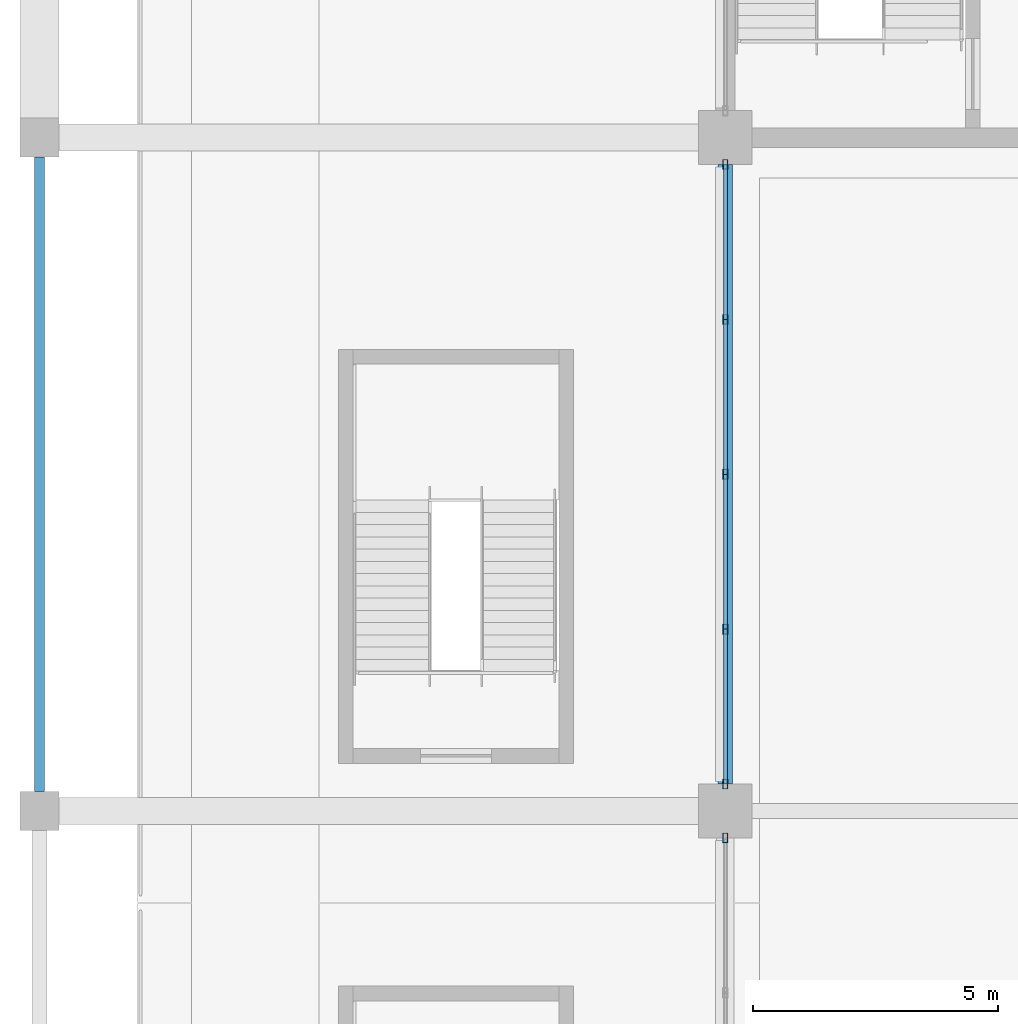
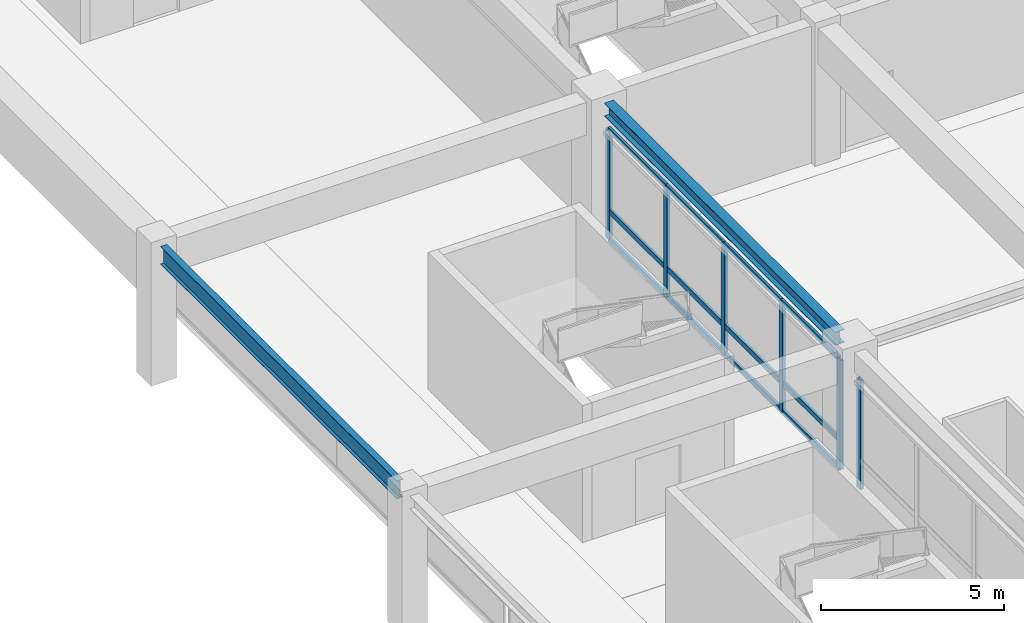
# One storey, part 29 of 91: 18 members, 2 beams, 2 elements without a shape of their own.
"""IFC4 building model written with IfcOpenShell, lengths in metres."""

from ifc_helpers import new_model, si_unit, direction, frame, origin, origin_2d, place, context, subcontext, project, spatial, hollow_rectangle, i_section, extrude, material, material_profile, profile_set, type_object, element, aggregate, save


model = new_model("IFC4")

# Units and contexts
model_context = context("Model", 3, precision=1e-05, world=origin(), true_north=direction((0.0, 1.0)))
body_context = subcontext(model_context, "Body", "Model", "MODEL_VIEW")
ifc_project = project(units=[si_unit("LENGTHUNIT", "METRE"), si_unit("AREAUNIT", "SQUARE_METRE"), si_unit("VOLUMEUNIT", "CUBIC_METRE"), si_unit("PLANEANGLEUNIT", "RADIAN"), si_unit("MASSUNIT", "GRAM", prefix="KILO")], contexts=[model_context])

# Site, building, storey
site_placement = place(None, origin())
site = spatial("IfcSite", under=ifc_project, at=site_placement, CompositionType="ELEMENT")
building_placement = place(site_placement, origin())
building = spatial("IfcBuilding", under=site, at=building_placement, Name="Linyun Crest Stadium", CompositionType="ELEMENT")
storey_placement = place(building_placement, frame((0.0, 0.0, 11.39990234375)))
storey = spatial("IfcBuildingStorey", under=building, at=storey_placement, Name="L03", CompositionType="ELEMENT", Elevation=11.39990234375)

# Beams
ifc_material_1 = material(Name="Steel Q355C", Category="steel")
ifc_material_profile_1 = material_profile(ifc_material_1, i_section(OverallWidth=0.300048828125, OverallDepth=0.43994140625, WebThickness=0.010986328125, FlangeThickness=0.01806640625, at=origin_2d()), Name="HM 440x300")
ifc_profile_set_1 = profile_set([ifc_material_profile_1], Name="Steel Q355C")
beam_type_1 = type_object("IfcBeamType", Name="B07", PredefinedType="BEAM", material=ifc_profile_set_1)
beam_1_placement = place(storey_placement, frame((-84.0, -11.074951171875, 4.360107421875), z_axis=(0.0, 1.0, 0.0), x_axis=(-1.0, 0.0, 0.0)))
element("IfcBeam", 1, at=beam_1_placement, inside=storey, type_object=beam_type_1, Name="Frame beam B07 L03 272", PredefinedType="BEAM", context=body_context, shape_type="SweptSolid", body=[
    extrude(i_section(OverallWidth=0.300048828125, OverallDepth=0.43994140625, WebThickness=0.010986328125, FlangeThickness=0.01806640625, at=origin_2d()), origin(), (0.0, 0.0, 1.0), 12.64990234375),
])
ifc_material_2 = material(Name="Steel Q355C", Category="steel")
ifc_material_profile_2 = material_profile(ifc_material_2, i_section(OverallWidth=0.199951171875, OverallDepth=0.60009765625, WebThickness=0.010986328125, FlangeThickness=0.01708984375, at=origin_2d()), Name="HN 600x200")
ifc_profile_set_2 = profile_set([ifc_material_profile_2], Name="Steel Q355C")
beam_type_2 = type_object("IfcBeamType", Name="B11", PredefinedType="BEAM", material=ifc_profile_set_2)
beam_2_placement = place(storey_placement, frame((-98.0, -11.22509765625, 4.280029296875), z_axis=(0.0, 1.0, 0.0), x_axis=(-1.0, 0.0, 0.0)))
element("IfcBeam", 2, at=beam_2_placement, inside=storey, type_object=beam_type_2, Name="Frame beam B11 L03 266", PredefinedType="BEAM", context=body_context, shape_type="SweptSolid", body=[
    extrude(i_section(OverallWidth=0.199951171875, OverallDepth=0.60009765625, WebThickness=0.010986328125, FlangeThickness=0.01708984375, at=origin_2d()), origin(), (0.0, 0.0, 1.0), 12.9501953125),
])

# Curtain wall, member
ifc_material_3 = material(Name="Verdigris steel and low-E curtain wall assembly", Category="steel")
curtain_wall_type = type_object("IfcCurtainWallType", Name="MCW02", PredefinedType="NOTDEFINED", material=ifc_material_3)
curtain_wall_1_placement = place(storey_placement, origin())
curtain_wall_1 = element("IfcCurtainWall", 3, at=curtain_wall_1_placement, inside=storey, type_object=curtain_wall_type, Name="CWR-083", PredefinedType="NOTDEFINED")
ifc_material_4 = material(Name="Verdigris painted steel Q355C mullion", Category="steel")
ifc_material_profile_3 = material_profile(ifc_material_4, hollow_rectangle(XDim=0.10009765625, YDim=0.199951171875, WallThickness=0.008056640625, at=origin_2d()), Name="RHS 200x100x8")
ifc_profile_set_3 = profile_set([ifc_material_profile_3], Name="Verdigris painted steel Q355C mullion")
member_type_1 = type_object("IfcMemberType", Name="ML03", PredefinedType="MULLION", material=ifc_profile_set_3)
member_1_placement = place(storey_placement, frame((-84.0, -12.175048828125, 0.0), z_axis=(0.0, 0.0, 1.0), x_axis=(-1.0, 0.0, 0.0)))
member_1 = element("IfcMember", 4, at=member_1_placement, type_object=member_type_1, Name="CWR-083 mullion 5", PredefinedType="MULLION", context=body_context, shape_type="SweptSolid", body=[
    extrude(hollow_rectangle(XDim=0.10009765625, YDim=0.199951171875, WallThickness=0.008056640625, at=origin_2d()), origin(), (0.0, 0.0, 1.0), 3.650146484375),
])
aggregate(curtain_wall_1, [member_1])

# Curtain wall, members
curtain_wall_2_placement = place(storey_placement, origin())
curtain_wall_2 = element("IfcCurtainWall", 5, at=curtain_wall_2_placement, inside=storey, type_object=curtain_wall_type, Name="CWR-092", PredefinedType="NOTDEFINED")
member_2_placement = place(storey_placement, frame((-84.0, -11.074951171875, 0.0), z_axis=(0.0, 0.0, 1.0), x_axis=(-1.0, 0.0, 0.0)))
member_2 = element("IfcMember", 6, at=member_2_placement, type_object=member_type_1, Name="CWR-092 mullion 1", PredefinedType="MULLION", context=body_context, shape_type="SweptSolid", body=[
    extrude(hollow_rectangle(XDim=0.10009765625, YDim=0.199951171875, WallThickness=0.008056640625, at=origin_2d()), origin(), (0.0, 0.0, 1.0), 3.650146484375),
])
member_3_placement = place(storey_placement, frame((-84.0, -7.912109375, 0.0), z_axis=(0.0, 0.0, 1.0), x_axis=(-1.0, 0.0, 0.0)))
member_3 = element("IfcMember", 7, at=member_3_placement, type_object=member_type_1, Name="CWR-092 mullion 2", PredefinedType="MULLION", context=body_context, shape_type="SweptSolid", body=[
    extrude(hollow_rectangle(XDim=0.10009765625, YDim=0.199951171875, WallThickness=0.008056640625, at=origin_2d()), origin(), (0.0, 0.0, 1.0), 3.650146484375),
])
member_4_placement = place(storey_placement, frame((-84.0, -4.75, 0.0), z_axis=(0.0, 0.0, 1.0), x_axis=(-1.0, 0.0, 0.0)))
member_4 = element("IfcMember", 8, at=member_4_placement, type_object=member_type_1, Name="CWR-092 mullion 3", PredefinedType="MULLION", context=body_context, shape_type="SweptSolid", body=[
    extrude(hollow_rectangle(XDim=0.10009765625, YDim=0.199951171875, WallThickness=0.008056640625, at=origin_2d()), origin(), (0.0, 0.0, 1.0), 3.650146484375),
])
member_5_placement = place(storey_placement, frame((-84.0, -1.587890625, 0.0), z_axis=(0.0, 0.0, 1.0), x_axis=(-1.0, 0.0, 0.0)))
member_5 = element("IfcMember", 9, at=member_5_placement, type_object=member_type_1, Name="CWR-092 mullion 4", PredefinedType="MULLION", context=body_context, shape_type="SweptSolid", body=[
    extrude(hollow_rectangle(XDim=0.10009765625, YDim=0.199951171875, WallThickness=0.008056640625, at=origin_2d()), origin(), (0.0, 0.0, 1.0), 3.650146484375),
])
member_6_placement = place(storey_placement, frame((-84.0, 1.574951171875, 0.0), z_axis=(0.0, 0.0, 1.0), x_axis=(-1.0, 0.0, 0.0)))
member_6 = element("IfcMember", 10, at=member_6_placement, type_object=member_type_1, Name="CWR-092 mullion 5", PredefinedType="MULLION", context=body_context, shape_type="SweptSolid", body=[
    extrude(hollow_rectangle(XDim=0.10009765625, YDim=0.199951171875, WallThickness=0.008056640625, at=origin_2d()), origin(), (0.0, 0.0, 1.0), 3.650146484375),
])
ifc_material_5 = material(Name="Verdigris painted steel Q355B transom", Category="steel")
ifc_material_profile_4 = material_profile(ifc_material_5, hollow_rectangle(XDim=0.080078125, YDim=0.179931640625, WallThickness=0.006103515625, at=origin_2d()), Name="RHS 180x80x6")
ifc_profile_set_4 = profile_set([ifc_material_profile_4], Name="Verdigris painted steel Q355B transom")
member_type_2 = type_object("IfcMemberType", Name="TR02", PredefinedType="USERDEFINED", material=ifc_profile_set_4)
member_7_placement = place(storey_placement, frame((-84.0, -11.074951171875, 0.0), z_axis=(0.0, 1.0, 0.0), x_axis=(-1.0, 0.0, 0.0)))
member_7 = element("IfcMember", 11, at=member_7_placement, type_object=member_type_2, Name="CWR-092 transom 1.1", ObjectType="TRANSOM", PredefinedType="USERDEFINED", context=body_context, shape_type="SweptSolid", body=[
    extrude(hollow_rectangle(XDim=0.080078125, YDim=0.179931640625, WallThickness=0.006103515625, at=origin_2d()), origin(), (0.0, 0.0, 1.0), 3.162841796875),
])
member_8_placement = place(storey_placement, frame((-84.0, -11.074951171875, 0.9501953125), z_axis=(0.0, 1.0, 0.0), x_axis=(-1.0, 0.0, 0.0)))
member_8 = element("IfcMember", 12, at=member_8_placement, type_object=member_type_2, Name="CWR-092 transom 1.2", ObjectType="TRANSOM", PredefinedType="USERDEFINED", context=body_context, shape_type="SweptSolid", body=[
    extrude(hollow_rectangle(XDim=0.080078125, YDim=0.179931640625, WallThickness=0.006103515625, at=origin_2d()), origin(), (0.0, 0.0, 1.0), 3.162841796875),
])
member_9_placement = place(storey_placement, frame((-84.0, -11.074951171875, 3.650146484375), z_axis=(0.0, 1.0, 0.0), x_axis=(-1.0, 0.0, 0.0)))
member_9 = element("IfcMember", 13, at=member_9_placement, type_object=member_type_2, Name="CWR-092 transom 1.3", ObjectType="TRANSOM", PredefinedType="USERDEFINED", context=body_context, shape_type="SweptSolid", body=[
    extrude(hollow_rectangle(XDim=0.080078125, YDim=0.179931640625, WallThickness=0.006103515625, at=origin_2d()), origin(), (0.0, 0.0, 1.0), 3.162841796875),
])
member_10_placement = place(storey_placement, frame((-84.0, -7.912109375, 0.0), z_axis=(0.0, 1.0, 0.0), x_axis=(-1.0, 0.0, 0.0)))
member_10 = element("IfcMember", 14, at=member_10_placement, type_object=member_type_2, Name="CWR-092 transom 2.1", ObjectType="TRANSOM", PredefinedType="USERDEFINED", context=body_context, shape_type="SweptSolid", body=[
    extrude(hollow_rectangle(XDim=0.080078125, YDim=0.179931640625, WallThickness=0.006103515625, at=origin_2d()), origin(), (0.0, 0.0, 1.0), 3.162109375),
])
member_11_placement = place(storey_placement, frame((-84.0, -7.912109375, 0.9501953125), z_axis=(0.0, 1.0, 0.0), x_axis=(-1.0, 0.0, 0.0)))
member_11 = element("IfcMember", 15, at=member_11_placement, type_object=member_type_2, Name="CWR-092 transom 2.2", ObjectType="TRANSOM", PredefinedType="USERDEFINED", context=body_context, shape_type="SweptSolid", body=[
    extrude(hollow_rectangle(XDim=0.080078125, YDim=0.179931640625, WallThickness=0.006103515625, at=origin_2d()), origin(), (0.0, 0.0, 1.0), 3.162109375),
])
member_12_placement = place(storey_placement, frame((-84.0, -7.912109375, 3.650146484375), z_axis=(0.0, 1.0, 0.0), x_axis=(-1.0, 0.0, 0.0)))
member_12 = element("IfcMember", 16, at=member_12_placement, type_object=member_type_2, Name="CWR-092 transom 2.3", ObjectType="TRANSOM", PredefinedType="USERDEFINED", context=body_context, shape_type="SweptSolid", body=[
    extrude(hollow_rectangle(XDim=0.080078125, YDim=0.179931640625, WallThickness=0.006103515625, at=origin_2d()), origin(), (0.0, 0.0, 1.0), 3.162109375),
])
member_13_placement = place(storey_placement, frame((-84.0, -4.75, 0.0), z_axis=(0.0, 1.0, 0.0), x_axis=(-1.0, 0.0, 0.0)))
member_13 = element("IfcMember", 17, at=member_13_placement, type_object=member_type_2, Name="CWR-092 transom 3.1", ObjectType="TRANSOM", PredefinedType="USERDEFINED", context=body_context, shape_type="SweptSolid", body=[
    extrude(hollow_rectangle(XDim=0.080078125, YDim=0.179931640625, WallThickness=0.006103515625, at=origin_2d()), origin(), (0.0, 0.0, 1.0), 3.162109375),
])
member_14_placement = place(storey_placement, frame((-84.0, -4.75, 0.9501953125), z_axis=(0.0, 1.0, 0.0), x_axis=(-1.0, 0.0, 0.0)))
member_14 = element("IfcMember", 18, at=member_14_placement, type_object=member_type_2, Name="CWR-092 transom 3.2", ObjectType="TRANSOM", PredefinedType="USERDEFINED", context=body_context, shape_type="SweptSolid", body=[
    extrude(hollow_rectangle(XDim=0.080078125, YDim=0.179931640625, WallThickness=0.006103515625, at=origin_2d()), origin(), (0.0, 0.0, 1.0), 3.162109375),
])
member_15_placement = place(storey_placement, frame((-84.0, -4.75, 3.650146484375), z_axis=(0.0, 1.0, 0.0), x_axis=(-1.0, 0.0, 0.0)))
member_15 = element("IfcMember", 19, at=member_15_placement, type_object=member_type_2, Name="CWR-092 transom 3.3", ObjectType="TRANSOM", PredefinedType="USERDEFINED", context=body_context, shape_type="SweptSolid", body=[
    extrude(hollow_rectangle(XDim=0.080078125, YDim=0.179931640625, WallThickness=0.006103515625, at=origin_2d()), origin(), (0.0, 0.0, 1.0), 3.162109375),
])
member_16_placement = place(storey_placement, frame((-84.0, -1.587890625, 0.0), z_axis=(0.0, 1.0, 0.0), x_axis=(-1.0, 0.0, 0.0)))
member_16 = element("IfcMember", 20, at=member_16_placement, type_object=member_type_2, Name="CWR-092 transom 4.1", ObjectType="TRANSOM", PredefinedType="USERDEFINED", context=body_context, shape_type="SweptSolid", body=[
    extrude(hollow_rectangle(XDim=0.080078125, YDim=0.179931640625, WallThickness=0.006103515625, at=origin_2d()), origin(), (0.0, 0.0, 1.0), 3.162841796875),
])
member_17_placement = place(storey_placement, frame((-84.0, -1.587890625, 0.9501953125), z_axis=(0.0, 1.0, 0.0), x_axis=(-1.0, 0.0, 0.0)))
member_17 = element("IfcMember", 21, at=member_17_placement, type_object=member_type_2, Name="CWR-092 transom 4.2", ObjectType="TRANSOM", PredefinedType="USERDEFINED", context=body_context, shape_type="SweptSolid", body=[
    extrude(hollow_rectangle(XDim=0.080078125, YDim=0.179931640625, WallThickness=0.006103515625, at=origin_2d()), origin(), (0.0, 0.0, 1.0), 3.162841796875),
])
member_18_placement = place(storey_placement, frame((-84.0, -1.587890625, 3.650146484375), z_axis=(0.0, 1.0, 0.0), x_axis=(-1.0, 0.0, 0.0)))
member_18 = element("IfcMember", 22, at=member_18_placement, type_object=member_type_2, Name="CWR-092 transom 4.3", ObjectType="TRANSOM", PredefinedType="USERDEFINED", context=body_context, shape_type="SweptSolid", body=[
    extrude(hollow_rectangle(XDim=0.080078125, YDim=0.179931640625, WallThickness=0.006103515625, at=origin_2d()), origin(), (0.0, 0.0, 1.0), 3.162841796875),
])
aggregate(curtain_wall_2, [member_2, member_3, member_4, member_5, member_6, member_7, member_8, member_9, member_10, member_11, member_12, member_13, member_14, member_15, member_16, member_17, member_18])

save(model, "model.ifc")
